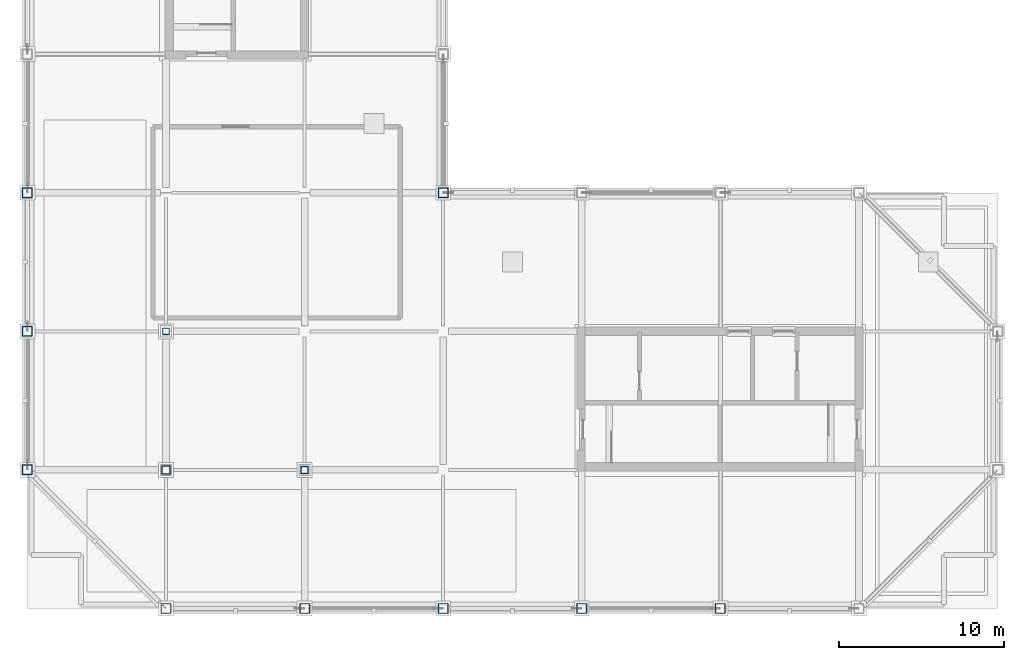
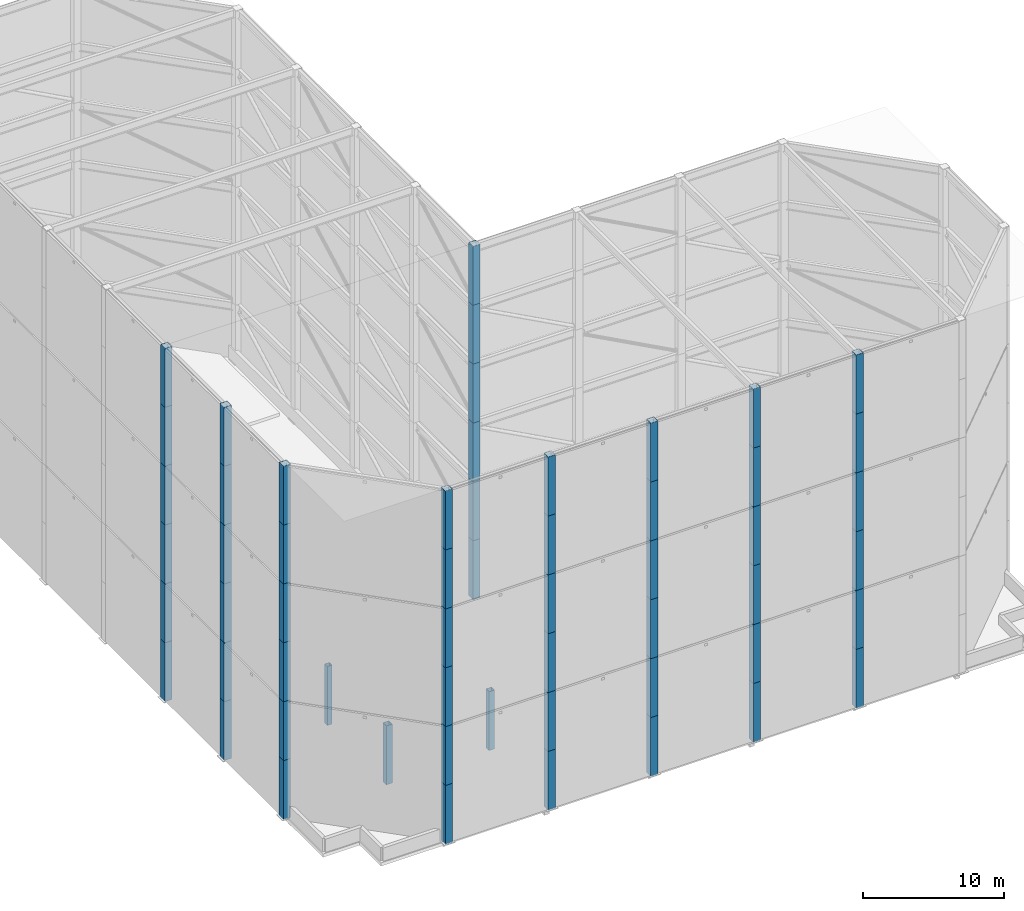
# One storey, part 1 of 17: 57 columns.
"""IFC4 building model written with IfcOpenShell, lengths in metres."""

from ifc_helpers import new_model, si_unit, direction, frame, origin, origin_2d, place, context, subcontext, project, spatial, hollow_rectangle, extrude, material, material_profile, profile_set, type_object, element, save


model = new_model("IFC4")

# Units and contexts
model_context = context("Model", 3, precision=1e-05, world=origin(), true_north=direction((0.0, 1.0)))
body_context = subcontext(model_context, "Body", "Model", "MODEL_VIEW")
ifc_project = project(units=[si_unit("LENGTHUNIT", "METRE"), si_unit("AREAUNIT", "SQUARE_METRE"), si_unit("VOLUMEUNIT", "CUBIC_METRE"), si_unit("PLANEANGLEUNIT", "RADIAN"), si_unit("MASSUNIT", "GRAM", prefix="KILO")], contexts=[model_context])

# Site, building, storey
site_placement = place(None, origin())
site = spatial("IfcSite", under=ifc_project, at=site_placement, CompositionType="ELEMENT")
building_placement = place(site_placement, origin())
building = spatial("IfcBuilding", under=site, at=building_placement, Name="Koriwani Terraces Tower", CompositionType="ELEMENT")
storey_placement = place(building_placement, frame((0.0, 0.0, 374.0)))
storey = spatial("IfcBuildingStorey", under=building, at=storey_placement, Name="RF", CompositionType="ELEMENT", Elevation=374.0)

# Columns
ifc_material = material(Name="Steel ASTM A572 Grade 50", Category="steel")
ifc_material_profile_1 = material_profile(ifc_material, hollow_rectangle(XDim=0.39990234375, YDim=0.39990234375, WallThickness=0.01611328125, at=origin_2d()), Name="Steel ASTM A572 Grade 50", Category="LoadBearing")
ifc_profile_set_1 = profile_set([ifc_material_profile_1], Name="Steel ASTM A572 Grade 50")
column_type_1 = type_object("IfcColumnType", Name="CROWN_FRAME_COL_HSS400X400X16", PredefinedType="USERDEFINED", material=ifc_profile_set_1)
column_1_placement = place(storey_placement, frame((16.800048828125, 25.199951171875, 0.0), z_axis=(0.0, 0.0, 1.0), x_axis=(1.0, 0.0, 0.0)))
element("IfcColumn", 1, at=column_1_placement, inside=storey, type_object=column_type_1, Name="CROWN FRAME Interior Equipment Frame Column EQ-03", ObjectType="CROWN FRAME", PredefinedType="USERDEFINED", context=body_context, shape_type="SweptSolid", body=[
    extrude(hollow_rectangle(XDim=0.39990234375, YDim=0.39990234375, WallThickness=0.01611328125, at=origin_2d()), origin(), (0.0, 0.0, 1.0), 5.090087890625),
])
ifc_material_profile_2 = material_profile(ifc_material, hollow_rectangle(XDim=0.449951171875, YDim=0.449951171875, WallThickness=0.02001953125, at=origin_2d()), Name="Steel ASTM A572 Grade 50", Category="LoadBearing")
ifc_profile_set_2 = profile_set([ifc_material_profile_2], Name="Steel ASTM A572 Grade 50")
column_type_2 = type_object("IfcColumnType", Name="CROWN_FRAME_COL_HSS450X450X20", PredefinedType="USERDEFINED", material=ifc_profile_set_2)
column_2_placement = place(storey_placement, frame((25.199951171875, 16.800048828125, 0.0), z_axis=(0.0, 0.0, 1.0), x_axis=(1.0, 0.0, 0.0)))
element("IfcColumn", 2, at=column_2_placement, inside=storey, type_object=column_type_2, Name="CROWN FRAME Interior Equipment Frame Column EQ-02", ObjectType="CROWN FRAME", PredefinedType="USERDEFINED", context=body_context, shape_type="SweptSolid", body=[
    extrude(hollow_rectangle(XDim=0.449951171875, YDim=0.449951171875, WallThickness=0.02001953125, at=origin_2d()), origin(), (0.0, 0.0, 1.0), 5.090087890625),
])
ifc_material_profile_3 = material_profile(ifc_material, hollow_rectangle(XDim=0.5, YDim=0.5, WallThickness=0.02197265625, at=origin_2d()), Name="Steel ASTM A572 Grade 50", Category="LoadBearing")
ifc_profile_set_3 = profile_set([ifc_material_profile_3], Name="Steel ASTM A572 Grade 50")
column_type_3 = type_object("IfcColumnType", Name="CROWN_FRAME_COL_HSS500X500X22", PredefinedType="USERDEFINED", material=ifc_profile_set_3)
column_3_placement = place(storey_placement, frame((16.800048828125, 16.800048828125, 0.0), z_axis=(0.0, 0.0, 1.0), x_axis=(1.0, 0.0, 0.0)))
element("IfcColumn", 3, at=column_3_placement, inside=storey, type_object=column_type_3, Name="CROWN FRAME Interior Equipment Frame Column EQ-01", ObjectType="CROWN FRAME", PredefinedType="USERDEFINED", context=body_context, shape_type="SweptSolid", body=[
    extrude(hollow_rectangle(XDim=0.5, YDim=0.5, WallThickness=0.02197265625, at=origin_2d()), origin(), (0.0, 0.0, 1.0), 5.090087890625),
])
ifc_material_profile_4 = material_profile(ifc_material, hollow_rectangle(XDim=0.60009765625, YDim=0.60009765625, WallThickness=0.02490234375, at=origin_2d()), Name="Steel ASTM A572 Grade 50", Category="LoadBearing")
ifc_profile_set_4 = profile_set([ifc_material_profile_4], Name="Steel ASTM A572 Grade 50")
column_type_4 = type_object("IfcColumnType", Name="CROWN_FRAME_COL_HSS600X600X25", PredefinedType="USERDEFINED", material=ifc_profile_set_4)
column_4_placement = place(storey_placement, frame((16.800048828125, 8.39990234375, 0.0), z_axis=(0.0, 0.0, 1.0), x_axis=(1.0, 0.0, 0.0)))
element("IfcColumn", 4, at=column_4_placement, inside=storey, type_object=column_type_4, Name="CROWN FRAME Tier 1 Column P01", ObjectType="CROWN FRAME", PredefinedType="USERDEFINED", context=body_context, shape_type="SweptSolid", body=[
    extrude(hollow_rectangle(XDim=0.60009765625, YDim=0.60009765625, WallThickness=0.02490234375, at=origin_2d()), origin(), (0.0, 0.0, 1.0), 5.090087890625),
])
column_5_placement = place(storey_placement, frame((16.800048828125, 8.39990234375, 5.090087890625), z_axis=(0.0, 0.0, 1.0), x_axis=(1.0, 0.0, 0.0)))
element("IfcColumn", 5, at=column_5_placement, inside=storey, type_object=column_type_4, Name="CROWN FRAME Tier 2 Column P01", ObjectType="CROWN FRAME", PredefinedType="USERDEFINED", context=body_context, shape_type="SweptSolid", body=[
    extrude(hollow_rectangle(XDim=0.60009765625, YDim=0.60009765625, WallThickness=0.02490234375, at=origin_2d()), origin(), (0.0, 0.0, 1.0), 5.08984375),
])
for number, where, z_axis, x_axis, name in (
    (6, (16.800048828125, 8.39990234375, 10.179931640625), (0.0, 0.0, 1.0), (1.0, 0.0, 0.0), "CROWN FRAME Tier 3 Column P01"),
    (7, (16.800048828125, 8.39990234375, 15.27001953125), (0.0, 0.0, 1.0), (1.0, 0.0, 0.0), "CROWN FRAME Tier 4 Column P01"),
):
    element("IfcColumn", number, at=place(storey_placement, frame(where, z_axis=z_axis, x_axis=x_axis)), inside=storey, type_object=column_type_4, Name=name, ObjectType="CROWN FRAME", PredefinedType="USERDEFINED", context=body_context, shape_type="SweptSolid", body=[
        extrude(hollow_rectangle(XDim=0.60009765625, YDim=0.60009765625, WallThickness=0.02490234375, at=origin_2d()), origin(), (0.0, 0.0, 1.0), 5.090087890625),
    ])
column_6_placement = place(storey_placement, frame((16.800048828125, 8.39990234375, 20.360107421875), z_axis=(0.0, 0.0, 1.0), x_axis=(1.0, 0.0, 0.0)))
element("IfcColumn", 8, at=column_6_placement, inside=storey, type_object=column_type_4, Name="CROWN FRAME Tier 5 Column P01", ObjectType="CROWN FRAME", PredefinedType="USERDEFINED", context=body_context, shape_type="SweptSolid", body=[
    extrude(hollow_rectangle(XDim=0.60009765625, YDim=0.60009765625, WallThickness=0.02490234375, at=origin_2d()), origin(), (0.0, 0.0, 1.0), 5.08984375),
])
for number, where, z_axis, x_axis, name in (
    (9, (16.800048828125, 8.39990234375, 25.449951171875), (0.0, 0.0, 1.0), (1.0, 0.0, 0.0), "CROWN FRAME Tier 6 Column P01"),
    (10, (25.199951171875, 8.39990234375, 0.0), (0.0, 0.0, 1.0), (1.0, 0.0, 0.0), "CROWN FRAME Tier 1 Column P02"),
):
    element("IfcColumn", number, at=place(storey_placement, frame(where, z_axis=z_axis, x_axis=x_axis)), inside=storey, type_object=column_type_4, Name=name, ObjectType="CROWN FRAME", PredefinedType="USERDEFINED", context=body_context, shape_type="SweptSolid", body=[
        extrude(hollow_rectangle(XDim=0.60009765625, YDim=0.60009765625, WallThickness=0.02490234375, at=origin_2d()), origin(), (0.0, 0.0, 1.0), 5.090087890625),
    ])
column_7_placement = place(storey_placement, frame((25.199951171875, 8.39990234375, 5.090087890625), z_axis=(0.0, 0.0, 1.0), x_axis=(1.0, 0.0, 0.0)))
element("IfcColumn", 11, at=column_7_placement, inside=storey, type_object=column_type_4, Name="CROWN FRAME Tier 2 Column P02", ObjectType="CROWN FRAME", PredefinedType="USERDEFINED", context=body_context, shape_type="SweptSolid", body=[
    extrude(hollow_rectangle(XDim=0.60009765625, YDim=0.60009765625, WallThickness=0.02490234375, at=origin_2d()), origin(), (0.0, 0.0, 1.0), 5.08984375),
])
for number, where, z_axis, x_axis, name in (
    (12, (25.199951171875, 8.39990234375, 10.179931640625), (0.0, 0.0, 1.0), (1.0, 0.0, 0.0), "CROWN FRAME Tier 3 Column P02"),
    (13, (25.199951171875, 8.39990234375, 15.27001953125), (0.0, 0.0, 1.0), (1.0, 0.0, 0.0), "CROWN FRAME Tier 4 Column P02"),
):
    element("IfcColumn", number, at=place(storey_placement, frame(where, z_axis=z_axis, x_axis=x_axis)), inside=storey, type_object=column_type_4, Name=name, ObjectType="CROWN FRAME", PredefinedType="USERDEFINED", context=body_context, shape_type="SweptSolid", body=[
        extrude(hollow_rectangle(XDim=0.60009765625, YDim=0.60009765625, WallThickness=0.02490234375, at=origin_2d()), origin(), (0.0, 0.0, 1.0), 5.090087890625),
    ])
column_8_placement = place(storey_placement, frame((25.199951171875, 8.39990234375, 20.360107421875), z_axis=(0.0, 0.0, 1.0), x_axis=(1.0, 0.0, 0.0)))
element("IfcColumn", 14, at=column_8_placement, inside=storey, type_object=column_type_4, Name="CROWN FRAME Tier 5 Column P02", ObjectType="CROWN FRAME", PredefinedType="USERDEFINED", context=body_context, shape_type="SweptSolid", body=[
    extrude(hollow_rectangle(XDim=0.60009765625, YDim=0.60009765625, WallThickness=0.02490234375, at=origin_2d()), origin(), (0.0, 0.0, 1.0), 5.08984375),
])
for number, where, z_axis, x_axis, name in (
    (15, (25.199951171875, 8.39990234375, 25.449951171875), (0.0, 0.0, 1.0), (1.0, 0.0, 0.0), "CROWN FRAME Tier 6 Column P02"),
    (16, (33.60009765625, 8.39990234375, 0.0), (0.0, 0.0, 1.0), (1.0, 0.0, 0.0), "CROWN FRAME Tier 1 Column P03"),
):
    element("IfcColumn", number, at=place(storey_placement, frame(where, z_axis=z_axis, x_axis=x_axis)), inside=storey, type_object=column_type_4, Name=name, ObjectType="CROWN FRAME", PredefinedType="USERDEFINED", context=body_context, shape_type="SweptSolid", body=[
        extrude(hollow_rectangle(XDim=0.60009765625, YDim=0.60009765625, WallThickness=0.02490234375, at=origin_2d()), origin(), (0.0, 0.0, 1.0), 5.090087890625),
    ])
column_9_placement = place(storey_placement, frame((33.60009765625, 8.39990234375, 5.090087890625), z_axis=(0.0, 0.0, 1.0), x_axis=(1.0, 0.0, 0.0)))
element("IfcColumn", 17, at=column_9_placement, inside=storey, type_object=column_type_4, Name="CROWN FRAME Tier 2 Column P03", ObjectType="CROWN FRAME", PredefinedType="USERDEFINED", context=body_context, shape_type="SweptSolid", body=[
    extrude(hollow_rectangle(XDim=0.60009765625, YDim=0.60009765625, WallThickness=0.02490234375, at=origin_2d()), origin(), (0.0, 0.0, 1.0), 5.08984375),
])
for number, where, z_axis, x_axis, name in (
    (18, (33.60009765625, 8.39990234375, 10.179931640625), (0.0, 0.0, 1.0), (1.0, 0.0, 0.0), "CROWN FRAME Tier 3 Column P03"),
    (19, (33.60009765625, 8.39990234375, 15.27001953125), (0.0, 0.0, 1.0), (1.0, 0.0, 0.0), "CROWN FRAME Tier 4 Column P03"),
):
    element("IfcColumn", number, at=place(storey_placement, frame(where, z_axis=z_axis, x_axis=x_axis)), inside=storey, type_object=column_type_4, Name=name, ObjectType="CROWN FRAME", PredefinedType="USERDEFINED", context=body_context, shape_type="SweptSolid", body=[
        extrude(hollow_rectangle(XDim=0.60009765625, YDim=0.60009765625, WallThickness=0.02490234375, at=origin_2d()), origin(), (0.0, 0.0, 1.0), 5.090087890625),
    ])
column_10_placement = place(storey_placement, frame((33.60009765625, 8.39990234375, 20.360107421875), z_axis=(0.0, 0.0, 1.0), x_axis=(1.0, 0.0, 0.0)))
element("IfcColumn", 20, at=column_10_placement, inside=storey, type_object=column_type_4, Name="CROWN FRAME Tier 5 Column P03", ObjectType="CROWN FRAME", PredefinedType="USERDEFINED", context=body_context, shape_type="SweptSolid", body=[
    extrude(hollow_rectangle(XDim=0.60009765625, YDim=0.60009765625, WallThickness=0.02490234375, at=origin_2d()), origin(), (0.0, 0.0, 1.0), 5.08984375),
])
for number, where, z_axis, x_axis, name in (
    (21, (33.60009765625, 8.39990234375, 25.449951171875), (0.0, 0.0, 1.0), (1.0, 0.0, 0.0), "CROWN FRAME Tier 6 Column P03"),
    (22, (42.0, 8.39990234375, 0.0), (0.0, 0.0, 1.0), (1.0, 0.0, 0.0), "CROWN FRAME Tier 1 Column P04"),
):
    element("IfcColumn", number, at=place(storey_placement, frame(where, z_axis=z_axis, x_axis=x_axis)), inside=storey, type_object=column_type_4, Name=name, ObjectType="CROWN FRAME", PredefinedType="USERDEFINED", context=body_context, shape_type="SweptSolid", body=[
        extrude(hollow_rectangle(XDim=0.60009765625, YDim=0.60009765625, WallThickness=0.02490234375, at=origin_2d()), origin(), (0.0, 0.0, 1.0), 5.090087890625),
    ])
column_11_placement = place(storey_placement, frame((42.0, 8.39990234375, 5.090087890625), z_axis=(0.0, 0.0, 1.0), x_axis=(1.0, 0.0, 0.0)))
element("IfcColumn", 23, at=column_11_placement, inside=storey, type_object=column_type_4, Name="CROWN FRAME Tier 2 Column P04", ObjectType="CROWN FRAME", PredefinedType="USERDEFINED", context=body_context, shape_type="SweptSolid", body=[
    extrude(hollow_rectangle(XDim=0.60009765625, YDim=0.60009765625, WallThickness=0.02490234375, at=origin_2d()), origin(), (0.0, 0.0, 1.0), 5.08984375),
])
for number, where, z_axis, x_axis, name in (
    (24, (42.0, 8.39990234375, 10.179931640625), (0.0, 0.0, 1.0), (1.0, 0.0, 0.0), "CROWN FRAME Tier 3 Column P04"),
    (25, (42.0, 8.39990234375, 15.27001953125), (0.0, 0.0, 1.0), (1.0, 0.0, 0.0), "CROWN FRAME Tier 4 Column P04"),
):
    element("IfcColumn", number, at=place(storey_placement, frame(where, z_axis=z_axis, x_axis=x_axis)), inside=storey, type_object=column_type_4, Name=name, ObjectType="CROWN FRAME", PredefinedType="USERDEFINED", context=body_context, shape_type="SweptSolid", body=[
        extrude(hollow_rectangle(XDim=0.60009765625, YDim=0.60009765625, WallThickness=0.02490234375, at=origin_2d()), origin(), (0.0, 0.0, 1.0), 5.090087890625),
    ])
column_12_placement = place(storey_placement, frame((42.0, 8.39990234375, 20.360107421875), z_axis=(0.0, 0.0, 1.0), x_axis=(1.0, 0.0, 0.0)))
element("IfcColumn", 26, at=column_12_placement, inside=storey, type_object=column_type_4, Name="CROWN FRAME Tier 5 Column P04", ObjectType="CROWN FRAME", PredefinedType="USERDEFINED", context=body_context, shape_type="SweptSolid", body=[
    extrude(hollow_rectangle(XDim=0.60009765625, YDim=0.60009765625, WallThickness=0.02490234375, at=origin_2d()), origin(), (0.0, 0.0, 1.0), 5.08984375),
])
for number, where, z_axis, x_axis, name in (
    (27, (42.0, 8.39990234375, 25.449951171875), (0.0, 0.0, 1.0), (1.0, 0.0, 0.0), "CROWN FRAME Tier 6 Column P04"),
    (28, (50.39990234375, 8.39990234375, 0.0), (0.0, 0.0, 1.0), (1.0, 0.0, 0.0), "CROWN FRAME Tier 1 Column P05"),
):
    element("IfcColumn", number, at=place(storey_placement, frame(where, z_axis=z_axis, x_axis=x_axis)), inside=storey, type_object=column_type_4, Name=name, ObjectType="CROWN FRAME", PredefinedType="USERDEFINED", context=body_context, shape_type="SweptSolid", body=[
        extrude(hollow_rectangle(XDim=0.60009765625, YDim=0.60009765625, WallThickness=0.02490234375, at=origin_2d()), origin(), (0.0, 0.0, 1.0), 5.090087890625),
    ])
column_13_placement = place(storey_placement, frame((50.39990234375, 8.39990234375, 5.090087890625), z_axis=(0.0, 0.0, 1.0), x_axis=(1.0, 0.0, 0.0)))
element("IfcColumn", 29, at=column_13_placement, inside=storey, type_object=column_type_4, Name="CROWN FRAME Tier 2 Column P05", ObjectType="CROWN FRAME", PredefinedType="USERDEFINED", context=body_context, shape_type="SweptSolid", body=[
    extrude(hollow_rectangle(XDim=0.60009765625, YDim=0.60009765625, WallThickness=0.02490234375, at=origin_2d()), origin(), (0.0, 0.0, 1.0), 5.08984375),
])
for number, where, z_axis, x_axis, name in (
    (30, (50.39990234375, 8.39990234375, 10.179931640625), (0.0, 0.0, 1.0), (1.0, 0.0, 0.0), "CROWN FRAME Tier 3 Column P05"),
    (31, (50.39990234375, 8.39990234375, 15.27001953125), (0.0, 0.0, 1.0), (1.0, 0.0, 0.0), "CROWN FRAME Tier 4 Column P05"),
):
    element("IfcColumn", number, at=place(storey_placement, frame(where, z_axis=z_axis, x_axis=x_axis)), inside=storey, type_object=column_type_4, Name=name, ObjectType="CROWN FRAME", PredefinedType="USERDEFINED", context=body_context, shape_type="SweptSolid", body=[
        extrude(hollow_rectangle(XDim=0.60009765625, YDim=0.60009765625, WallThickness=0.02490234375, at=origin_2d()), origin(), (0.0, 0.0, 1.0), 5.090087890625),
    ])
column_14_placement = place(storey_placement, frame((50.39990234375, 8.39990234375, 20.360107421875), z_axis=(0.0, 0.0, 1.0), x_axis=(1.0, 0.0, 0.0)))
element("IfcColumn", 32, at=column_14_placement, inside=storey, type_object=column_type_4, Name="CROWN FRAME Tier 5 Column P05", ObjectType="CROWN FRAME", PredefinedType="USERDEFINED", context=body_context, shape_type="SweptSolid", body=[
    extrude(hollow_rectangle(XDim=0.60009765625, YDim=0.60009765625, WallThickness=0.02490234375, at=origin_2d()), origin(), (0.0, 0.0, 1.0), 5.08984375),
])
for number, where, z_axis, x_axis, name in (
    (33, (50.39990234375, 8.39990234375, 25.449951171875), (0.0, 0.0, 1.0), (1.0, 0.0, 0.0), "CROWN FRAME Tier 6 Column P05"),
    (34, (33.60009765625, 33.60009765625, 0.0), (0.0, 0.0, 1.0), (1.0, 0.0, 0.0), "CROWN FRAME Tier 1 Column P12"),
):
    element("IfcColumn", number, at=place(storey_placement, frame(where, z_axis=z_axis, x_axis=x_axis)), inside=storey, type_object=column_type_4, Name=name, ObjectType="CROWN FRAME", PredefinedType="USERDEFINED", context=body_context, shape_type="SweptSolid", body=[
        extrude(hollow_rectangle(XDim=0.60009765625, YDim=0.60009765625, WallThickness=0.02490234375, at=origin_2d()), origin(), (0.0, 0.0, 1.0), 5.090087890625),
    ])
column_15_placement = place(storey_placement, frame((33.60009765625, 33.60009765625, 5.090087890625), z_axis=(0.0, 0.0, 1.0), x_axis=(1.0, 0.0, 0.0)))
element("IfcColumn", 35, at=column_15_placement, inside=storey, type_object=column_type_4, Name="CROWN FRAME Tier 2 Column P12", ObjectType="CROWN FRAME", PredefinedType="USERDEFINED", context=body_context, shape_type="SweptSolid", body=[
    extrude(hollow_rectangle(XDim=0.60009765625, YDim=0.60009765625, WallThickness=0.02490234375, at=origin_2d()), origin(), (0.0, 0.0, 1.0), 5.08984375),
])
for number, where, z_axis, x_axis, name in (
    (36, (33.60009765625, 33.60009765625, 10.179931640625), (0.0, 0.0, 1.0), (1.0, 0.0, 0.0), "CROWN FRAME Tier 3 Column P12"),
    (37, (33.60009765625, 33.60009765625, 15.27001953125), (0.0, 0.0, 1.0), (1.0, 0.0, 0.0), "CROWN FRAME Tier 4 Column P12"),
):
    element("IfcColumn", number, at=place(storey_placement, frame(where, z_axis=z_axis, x_axis=x_axis)), inside=storey, type_object=column_type_4, Name=name, ObjectType="CROWN FRAME", PredefinedType="USERDEFINED", context=body_context, shape_type="SweptSolid", body=[
        extrude(hollow_rectangle(XDim=0.60009765625, YDim=0.60009765625, WallThickness=0.02490234375, at=origin_2d()), origin(), (0.0, 0.0, 1.0), 5.090087890625),
    ])
column_16_placement = place(storey_placement, frame((33.60009765625, 33.60009765625, 20.360107421875), z_axis=(0.0, 0.0, 1.0), x_axis=(1.0, 0.0, 0.0)))
element("IfcColumn", 38, at=column_16_placement, inside=storey, type_object=column_type_4, Name="CROWN FRAME Tier 5 Column P12", ObjectType="CROWN FRAME", PredefinedType="USERDEFINED", context=body_context, shape_type="SweptSolid", body=[
    extrude(hollow_rectangle(XDim=0.60009765625, YDim=0.60009765625, WallThickness=0.02490234375, at=origin_2d()), origin(), (0.0, 0.0, 1.0), 5.08984375),
])
for number, where, z_axis, x_axis, name in (
    (39, (33.60009765625, 33.60009765625, 25.449951171875), (0.0, 0.0, 1.0), (1.0, 0.0, 0.0), "CROWN FRAME Tier 6 Column P12"),
    (40, (8.39990234375, 33.60009765625, 0.0), (0.0, 0.0, 1.0), (1.0, 0.0, 0.0), "CROWN FRAME Tier 1 Column P23"),
):
    element("IfcColumn", number, at=place(storey_placement, frame(where, z_axis=z_axis, x_axis=x_axis)), inside=storey, type_object=column_type_4, Name=name, ObjectType="CROWN FRAME", PredefinedType="USERDEFINED", context=body_context, shape_type="SweptSolid", body=[
        extrude(hollow_rectangle(XDim=0.60009765625, YDim=0.60009765625, WallThickness=0.02490234375, at=origin_2d()), origin(), (0.0, 0.0, 1.0), 5.090087890625),
    ])
column_17_placement = place(storey_placement, frame((8.39990234375, 33.60009765625, 5.090087890625), z_axis=(0.0, 0.0, 1.0), x_axis=(1.0, 0.0, 0.0)))
element("IfcColumn", 41, at=column_17_placement, inside=storey, type_object=column_type_4, Name="CROWN FRAME Tier 2 Column P23", ObjectType="CROWN FRAME", PredefinedType="USERDEFINED", context=body_context, shape_type="SweptSolid", body=[
    extrude(hollow_rectangle(XDim=0.60009765625, YDim=0.60009765625, WallThickness=0.02490234375, at=origin_2d()), origin(), (0.0, 0.0, 1.0), 5.08984375),
])
for number, where, z_axis, x_axis, name in (
    (42, (8.39990234375, 33.60009765625, 10.179931640625), (0.0, 0.0, 1.0), (1.0, 0.0, 0.0), "CROWN FRAME Tier 3 Column P23"),
    (43, (8.39990234375, 33.60009765625, 15.27001953125), (0.0, 0.0, 1.0), (1.0, 0.0, 0.0), "CROWN FRAME Tier 4 Column P23"),
):
    element("IfcColumn", number, at=place(storey_placement, frame(where, z_axis=z_axis, x_axis=x_axis)), inside=storey, type_object=column_type_4, Name=name, ObjectType="CROWN FRAME", PredefinedType="USERDEFINED", context=body_context, shape_type="SweptSolid", body=[
        extrude(hollow_rectangle(XDim=0.60009765625, YDim=0.60009765625, WallThickness=0.02490234375, at=origin_2d()), origin(), (0.0, 0.0, 1.0), 5.090087890625),
    ])
column_18_placement = place(storey_placement, frame((8.39990234375, 33.60009765625, 20.360107421875), z_axis=(0.0, 0.0, 1.0), x_axis=(1.0, 0.0, 0.0)))
element("IfcColumn", 44, at=column_18_placement, inside=storey, type_object=column_type_4, Name="CROWN FRAME Tier 5 Column P23", ObjectType="CROWN FRAME", PredefinedType="USERDEFINED", context=body_context, shape_type="SweptSolid", body=[
    extrude(hollow_rectangle(XDim=0.60009765625, YDim=0.60009765625, WallThickness=0.02490234375, at=origin_2d()), origin(), (0.0, 0.0, 1.0), 5.08984375),
])
for number, where, z_axis, x_axis, name in (
    (45, (8.39990234375, 33.60009765625, 25.449951171875), (0.0, 0.0, 1.0), (1.0, 0.0, 0.0), "CROWN FRAME Tier 6 Column P23"),
    (46, (8.39990234375, 25.199951171875, 0.0), (0.0, 0.0, 1.0), (1.0, 0.0, 0.0), "CROWN FRAME Tier 1 Column P24"),
):
    element("IfcColumn", number, at=place(storey_placement, frame(where, z_axis=z_axis, x_axis=x_axis)), inside=storey, type_object=column_type_4, Name=name, ObjectType="CROWN FRAME", PredefinedType="USERDEFINED", context=body_context, shape_type="SweptSolid", body=[
        extrude(hollow_rectangle(XDim=0.60009765625, YDim=0.60009765625, WallThickness=0.02490234375, at=origin_2d()), origin(), (0.0, 0.0, 1.0), 5.090087890625),
    ])
column_19_placement = place(storey_placement, frame((8.39990234375, 25.199951171875, 5.090087890625), z_axis=(0.0, 0.0, 1.0), x_axis=(1.0, 0.0, 0.0)))
element("IfcColumn", 47, at=column_19_placement, inside=storey, type_object=column_type_4, Name="CROWN FRAME Tier 2 Column P24", ObjectType="CROWN FRAME", PredefinedType="USERDEFINED", context=body_context, shape_type="SweptSolid", body=[
    extrude(hollow_rectangle(XDim=0.60009765625, YDim=0.60009765625, WallThickness=0.02490234375, at=origin_2d()), origin(), (0.0, 0.0, 1.0), 5.08984375),
])
for number, where, z_axis, x_axis, name in (
    (48, (8.39990234375, 25.199951171875, 10.179931640625), (0.0, 0.0, 1.0), (1.0, 0.0, 0.0), "CROWN FRAME Tier 3 Column P24"),
    (49, (8.39990234375, 25.199951171875, 15.27001953125), (0.0, 0.0, 1.0), (1.0, 0.0, 0.0), "CROWN FRAME Tier 4 Column P24"),
):
    element("IfcColumn", number, at=place(storey_placement, frame(where, z_axis=z_axis, x_axis=x_axis)), inside=storey, type_object=column_type_4, Name=name, ObjectType="CROWN FRAME", PredefinedType="USERDEFINED", context=body_context, shape_type="SweptSolid", body=[
        extrude(hollow_rectangle(XDim=0.60009765625, YDim=0.60009765625, WallThickness=0.02490234375, at=origin_2d()), origin(), (0.0, 0.0, 1.0), 5.090087890625),
    ])
column_20_placement = place(storey_placement, frame((8.39990234375, 25.199951171875, 20.360107421875), z_axis=(0.0, 0.0, 1.0), x_axis=(1.0, 0.0, 0.0)))
element("IfcColumn", 50, at=column_20_placement, inside=storey, type_object=column_type_4, Name="CROWN FRAME Tier 5 Column P24", ObjectType="CROWN FRAME", PredefinedType="USERDEFINED", context=body_context, shape_type="SweptSolid", body=[
    extrude(hollow_rectangle(XDim=0.60009765625, YDim=0.60009765625, WallThickness=0.02490234375, at=origin_2d()), origin(), (0.0, 0.0, 1.0), 5.08984375),
])
for number, where, z_axis, x_axis, name in (
    (51, (8.39990234375, 25.199951171875, 25.449951171875), (0.0, 0.0, 1.0), (1.0, 0.0, 0.0), "CROWN FRAME Tier 6 Column P24"),
    (52, (8.39990234375, 16.800048828125, 0.0), (0.0, 0.0, 1.0), (1.0, 0.0, 0.0), "CROWN FRAME Tier 1 Column P25"),
):
    element("IfcColumn", number, at=place(storey_placement, frame(where, z_axis=z_axis, x_axis=x_axis)), inside=storey, type_object=column_type_4, Name=name, ObjectType="CROWN FRAME", PredefinedType="USERDEFINED", context=body_context, shape_type="SweptSolid", body=[
        extrude(hollow_rectangle(XDim=0.60009765625, YDim=0.60009765625, WallThickness=0.02490234375, at=origin_2d()), origin(), (0.0, 0.0, 1.0), 5.090087890625),
    ])
column_21_placement = place(storey_placement, frame((8.39990234375, 16.800048828125, 5.090087890625), z_axis=(0.0, 0.0, 1.0), x_axis=(1.0, 0.0, 0.0)))
element("IfcColumn", 53, at=column_21_placement, inside=storey, type_object=column_type_4, Name="CROWN FRAME Tier 2 Column P25", ObjectType="CROWN FRAME", PredefinedType="USERDEFINED", context=body_context, shape_type="SweptSolid", body=[
    extrude(hollow_rectangle(XDim=0.60009765625, YDim=0.60009765625, WallThickness=0.02490234375, at=origin_2d()), origin(), (0.0, 0.0, 1.0), 5.08984375),
])
for number, where, z_axis, x_axis, name in (
    (54, (8.39990234375, 16.800048828125, 10.179931640625), (0.0, 0.0, 1.0), (1.0, 0.0, 0.0), "CROWN FRAME Tier 3 Column P25"),
    (55, (8.39990234375, 16.800048828125, 15.27001953125), (0.0, 0.0, 1.0), (1.0, 0.0, 0.0), "CROWN FRAME Tier 4 Column P25"),
):
    element("IfcColumn", number, at=place(storey_placement, frame(where, z_axis=z_axis, x_axis=x_axis)), inside=storey, type_object=column_type_4, Name=name, ObjectType="CROWN FRAME", PredefinedType="USERDEFINED", context=body_context, shape_type="SweptSolid", body=[
        extrude(hollow_rectangle(XDim=0.60009765625, YDim=0.60009765625, WallThickness=0.02490234375, at=origin_2d()), origin(), (0.0, 0.0, 1.0), 5.090087890625),
    ])
column_22_placement = place(storey_placement, frame((8.39990234375, 16.800048828125, 20.360107421875), z_axis=(0.0, 0.0, 1.0), x_axis=(1.0, 0.0, 0.0)))
element("IfcColumn", 56, at=column_22_placement, inside=storey, type_object=column_type_4, Name="CROWN FRAME Tier 5 Column P25", ObjectType="CROWN FRAME", PredefinedType="USERDEFINED", context=body_context, shape_type="SweptSolid", body=[
    extrude(hollow_rectangle(XDim=0.60009765625, YDim=0.60009765625, WallThickness=0.02490234375, at=origin_2d()), origin(), (0.0, 0.0, 1.0), 5.08984375),
])
column_23_placement = place(storey_placement, frame((8.39990234375, 16.800048828125, 25.449951171875), z_axis=(0.0, 0.0, 1.0), x_axis=(1.0, 0.0, 0.0)))
element("IfcColumn", 57, at=column_23_placement, inside=storey, type_object=column_type_4, Name="CROWN FRAME Tier 6 Column P25", ObjectType="CROWN FRAME", PredefinedType="USERDEFINED", context=body_context, shape_type="SweptSolid", body=[
    extrude(hollow_rectangle(XDim=0.60009765625, YDim=0.60009765625, WallThickness=0.02490234375, at=origin_2d()), origin(), (0.0, 0.0, 1.0), 5.090087890625),
])

save(model, "model.ifc")
